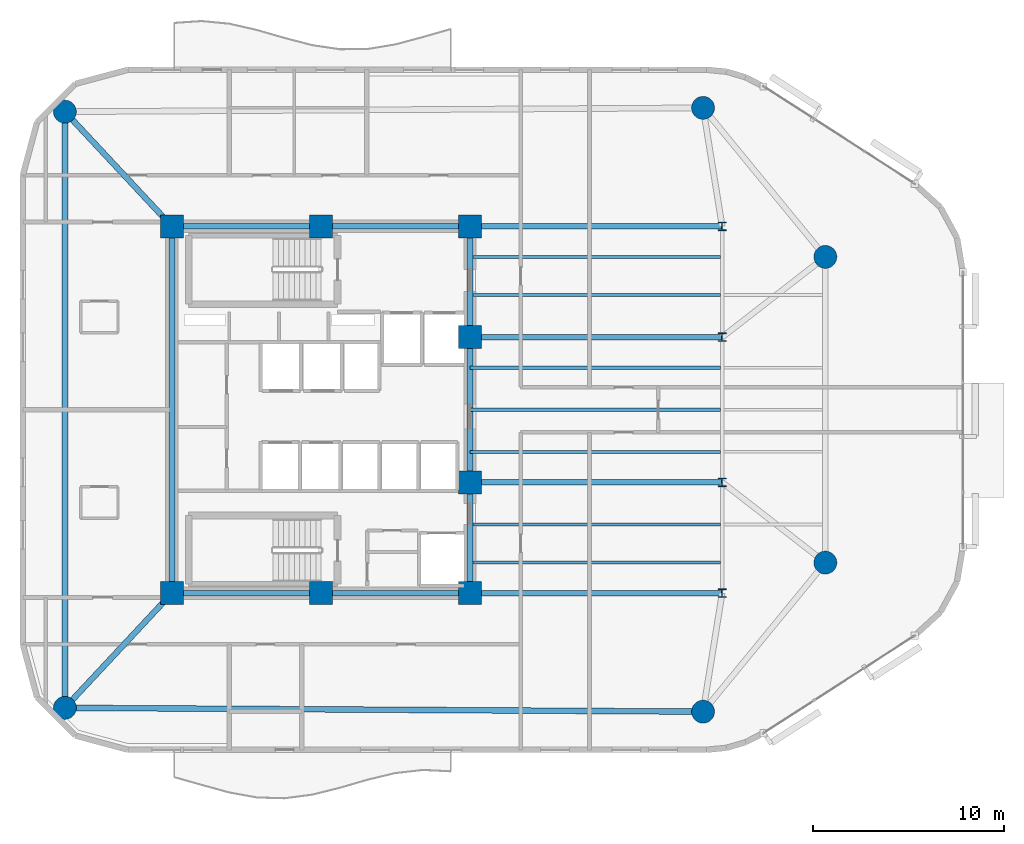
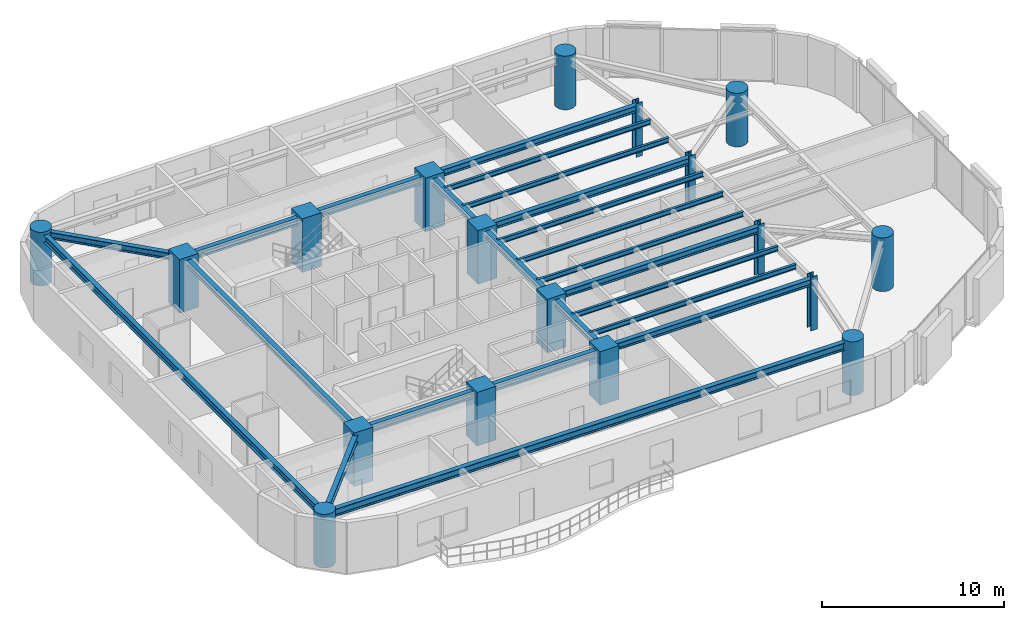
# One storey, part 1 of 15: 21 beams, 18 columns.
"""IFC4 building model written with IfcOpenShell, lengths in metres."""

from ifc_helpers import new_model, si_unit, direction, frame, origin, origin_2d, place, context, subcontext, project, spatial, rectangle, circle, i_section, extrude, material, material_profile, profile_set, type_object, element, save


model = new_model("IFC4")

# Units and contexts
model_context = context("Model", 3, precision=1e-05, world=origin(), true_north=direction((0.0, 1.0)))
body_context = subcontext(model_context, "Body", "Model", "MODEL_VIEW")
ifc_project = project(units=[si_unit("LENGTHUNIT", "METRE"), si_unit("AREAUNIT", "SQUARE_METRE"), si_unit("VOLUMEUNIT", "CUBIC_METRE"), si_unit("PLANEANGLEUNIT", "RADIAN"), si_unit("MASSUNIT", "GRAM", prefix="KILO")], contexts=[model_context])

# Site, building, storey
site_placement = place(None, origin())
site = spatial("IfcSite", under=ifc_project, at=site_placement, CompositionType="ELEMENT")
building_placement = place(site_placement, origin())
building = spatial("IfcBuilding", under=site, at=building_placement, Name="An Khanh Terracotta Commons", CompositionType="ELEMENT")
storey_placement = place(building_placement, frame((0.0, 0.0, 176.199951171875)))
storey = spatial("IfcBuildingStorey", under=building, at=storey_placement, Name="L46", CompositionType="ELEMENT", Elevation=176.199951171875)

# Columns
ifc_material_1 = material(Name="Concrete C60/75", Category="concrete")
ifc_material_profile_1 = material_profile(ifc_material_1, circle(Radius=0.60009765625, at=origin_2d()), Name="CFST1200")
ifc_profile_set_1 = profile_set([ifc_material_profile_1], Name="Concrete C60/75")
column_type_1 = type_object("IfcColumnType", Name="COL-CFST1200", PredefinedType="COLUMN", material=ifc_profile_set_1)
for number, where, z_axis, x_axis, name in (
    (1, (16.0, 8.39990234375, 0.0), (0.0, 0.0, 1.0), (1.0, 0.0, 0.0), "L46 Perimeter CFST Mega-Column MC-01"),
    (2, (49.39990234375, 8.199951171875, 0.0), (0.0, 0.0, 1.0), (1.0, 0.0, 0.0), "L46 Perimeter CFST Mega-Column MC-02"),
    (3, (55.800048828125, 16.0, 0.0), (0.0, 0.0, 1.0), (1.0, 0.0, 0.0), "L46 Perimeter CFST Mega-Column MC-03"),
    (4, (55.800048828125, 32.0, 0.0), (0.0, 0.0, 1.0), (1.0, 0.0, 0.0), "L46 Perimeter CFST Mega-Column MC-04"),
    (5, (49.39990234375, 39.800048828125, 0.0), (0.0, 0.0, 1.0), (1.0, 0.0, 0.0), "L46 Perimeter CFST Mega-Column MC-05"),
    (6, (16.0, 39.60009765625, 0.0), (0.0, 0.0, 1.0), (1.0, 0.0, 0.0), "L46 Perimeter CFST Mega-Column MC-06"),
):
    element("IfcColumn", number, at=place(storey_placement, frame(where, z_axis=z_axis, x_axis=x_axis)), inside=storey, type_object=column_type_1, Name=name, PredefinedType="COLUMN", context=body_context, shape_type="SweptSolid", body=[
        extrude(circle(Radius=0.60009765625, at=origin_2d()), origin(), (0.0, 0.0, 1.0), 3.60009765625),
    ])
ifc_material_2 = material(Name="Steel S460ML", Category="steel")
ifc_material_profile_2 = material_profile(ifc_material_2, i_section(OverallWidth=0.406005859375, OverallDepth=0.43994140625, WebThickness=0.02392578125, FlangeThickness=0.0390625, FilletRadius=0.014892578125, at=origin_2d()), Name="HD400x314")
ifc_profile_set_2 = profile_set([ifc_material_profile_2], Name="Steel S460ML")
column_type_2 = type_object("IfcColumnType", Name="COL-HD400x314", PredefinedType="COLUMN", material=ifc_profile_set_2)
for number, where, z_axis, x_axis, name in (
    (7, (50.39990234375, 14.39990234375, 0.0), (0.0, 0.0, 1.0), (1.0, 0.0, 0.0), "L46 Interior Frame Column TC-01"),
    (8, (50.39990234375, 20.199951171875, 0.0), (0.0, 0.0, 1.0), (1.0, 0.0, 0.0), "L46 Interior Frame Column TC-02"),
    (9, (50.39990234375, 27.800048828125, 0.0), (0.0, 0.0, 1.0), (1.0, 0.0, 0.0), "L46 Interior Frame Column TC-03"),
    (10, (50.39990234375, 33.60009765625, 0.0), (0.0, 0.0, 1.0), (1.0, 0.0, 0.0), "L46 Interior Frame Column TC-04"),
):
    element("IfcColumn", number, at=place(storey_placement, frame(where, z_axis=z_axis, x_axis=x_axis)), inside=storey, type_object=column_type_2, Name=name, PredefinedType="COLUMN", context=body_context, shape_type="SweptSolid", body=[
        extrude(i_section(OverallWidth=0.406005859375, OverallDepth=0.43994140625, WebThickness=0.02392578125, FlangeThickness=0.0390625, FilletRadius=0.014892578125, at=origin_2d()), origin(), (0.0, 0.0, 1.0), 3.60009765625),
    ])
ifc_material_profile_3 = material_profile(ifc_material_1, rectangle(XDim=1.199951171875, YDim=1.199951171875, at=origin_2d()), Name="RC1200x1200")
ifc_profile_set_3 = profile_set([ifc_material_profile_3], Name="Concrete C60/75")
column_type_3 = type_object("IfcColumnType", Name="COL-RC1200x1200", PredefinedType="COLUMN", material=ifc_profile_set_3)
for number, where, z_axis, x_axis, name in (
    (11, (21.60009765625, 14.39990234375, 0.0), (0.0, 0.0, 1.0), (1.0, 0.0, 0.0), "L46 Core Boundary Column CC-01"),
    (12, (29.39990234375, 14.39990234375, 0.0), (0.0, 0.0, 1.0), (1.0, 0.0, 0.0), "L46 Core Boundary Column CC-02"),
    (13, (37.199951171875, 14.39990234375, 0.0), (0.0, 0.0, 1.0), (1.0, 0.0, 0.0), "L46 Core Boundary Column CC-03"),
    (14, (37.199951171875, 20.199951171875, 0.0), (0.0, 0.0, 1.0), (1.0, 0.0, 0.0), "L46 Core Boundary Column CC-04"),
    (15, (37.199951171875, 27.800048828125, 0.0), (0.0, 0.0, 1.0), (1.0, 0.0, 0.0), "L46 Core Boundary Column CC-05"),
    (16, (37.199951171875, 33.60009765625, 0.0), (0.0, 0.0, 1.0), (1.0, 0.0, 0.0), "L46 Core Boundary Column CC-06"),
    (17, (29.39990234375, 33.60009765625, 0.0), (0.0, 0.0, 1.0), (1.0, 0.0, 0.0), "L46 Core Boundary Column CC-07"),
    (18, (21.60009765625, 33.60009765625, 0.0), (0.0, 0.0, 1.0), (1.0, 0.0, 0.0), "L46 Core Boundary Column CC-08"),
):
    element("IfcColumn", number, at=place(storey_placement, frame(where, z_axis=z_axis, x_axis=x_axis)), inside=storey, type_object=column_type_3, Name=name, PredefinedType="COLUMN", context=body_context, shape_type="SweptSolid", body=[
        extrude(rectangle(XDim=1.199951171875, YDim=1.199951171875, at=origin_2d()), origin(), (0.0, 0.0, 1.0), 3.60009765625),
    ])

# Beams
ifc_material_3 = material(Name="Steel S355J2", Category="steel")
ifc_material_profile_4 = material_profile(ifc_material_3, i_section(OverallWidth=0.300048828125, OverallDepth=0.449951171875, WebThickness=0.013916015625, FlangeThickness=0.02587890625, FilletRadius=0.027099609375, at=origin_2d()), Name="HEB450")
ifc_profile_set_4 = profile_set([ifc_material_profile_4], Name="Steel S355J2")
beam_type_1 = type_object("IfcBeamType", Name="BM-HEB450", PredefinedType="BEAM", material=ifc_profile_set_4)
beam_1_placement = place(storey_placement, frame((37.199951171875, 14.39990234375, 3.175048828125), z_axis=(0.0, 1.0, 0.0), x_axis=(-1.0, 0.0, 0.0)))
element("IfcBeam", 19, at=beam_1_placement, inside=storey, type_object=beam_type_1, Name="L46 Core East Coupling Girder 1", PredefinedType="BEAM", context=body_context, shape_type="SweptSolid", body=[
    extrude(i_section(OverallWidth=0.300048828125, OverallDepth=0.449951171875, WebThickness=0.013916015625, FlangeThickness=0.02587890625, FilletRadius=0.027099609375, at=origin_2d()), origin(), (0.0, 0.0, 1.0), 5.800048828125),
])
beam_2_placement = place(storey_placement, frame((37.199951171875, 20.199951171875, 3.175048828125), z_axis=(0.0, 1.0, 0.0), x_axis=(-1.0, 0.0, 0.0)))
element("IfcBeam", 20, at=beam_2_placement, inside=storey, type_object=beam_type_1, Name="L46 Core East Coupling Girder 2", PredefinedType="BEAM", context=body_context, shape_type="SweptSolid", body=[
    extrude(i_section(OverallWidth=0.300048828125, OverallDepth=0.449951171875, WebThickness=0.013916015625, FlangeThickness=0.02587890625, FilletRadius=0.027099609375, at=origin_2d()), origin(), (0.0, 0.0, 1.0), 7.60009765625),
])
beam_3_placement = place(storey_placement, frame((37.199951171875, 27.800048828125, 3.175048828125), z_axis=(0.0, 1.0, 0.0), x_axis=(-1.0, 0.0, 0.0)))
element("IfcBeam", 21, at=beam_3_placement, inside=storey, type_object=beam_type_1, Name="L46 Core East Coupling Girder 3", PredefinedType="BEAM", context=body_context, shape_type="SweptSolid", body=[
    extrude(i_section(OverallWidth=0.300048828125, OverallDepth=0.449951171875, WebThickness=0.013916015625, FlangeThickness=0.02587890625, FilletRadius=0.027099609375, at=origin_2d()), origin(), (0.0, 0.0, 1.0), 5.800048828125),
])
beam_4_placement = place(storey_placement, frame((21.60009765625, 14.39990234375, 3.175048828125), z_axis=(0.0, 1.0, 0.0), x_axis=(-1.0, 0.0, 0.0)))
element("IfcBeam", 22, at=beam_4_placement, inside=storey, type_object=beam_type_1, Name="L46 Core West Coupling Girder", PredefinedType="BEAM", context=body_context, shape_type="SweptSolid", body=[
    extrude(i_section(OverallWidth=0.300048828125, OverallDepth=0.449951171875, WebThickness=0.013916015625, FlangeThickness=0.02587890625, FilletRadius=0.027099609375, at=origin_2d()), origin(), (0.0, 0.0, 1.0), 19.2001953125),
])
for number, where, z_axis, x_axis, name in (
    (23, (37.199951171875, 14.39990234375, 3.175048828125), (1.0, 0.0, 0.0), (0.0, 1.0, 0.0), "L46 East Primary Floor Girder 1"),
    (24, (37.199951171875, 20.199951171875, 3.175048828125), (1.0, 0.0, 0.0), (0.0, 1.0, 0.0), "L46 East Primary Floor Girder 2"),
    (25, (37.199951171875, 27.800048828125, 3.175048828125), (1.0, 0.0, 0.0), (0.0, 1.0, 0.0), "L46 East Primary Floor Girder 3"),
    (26, (37.199951171875, 33.60009765625, 3.175048828125), (1.0, 0.0, 0.0), (0.0, 1.0, 0.0), "L46 East Primary Floor Girder 4"),
):
    element("IfcBeam", number, at=place(storey_placement, frame(where, z_axis=z_axis, x_axis=x_axis)), inside=storey, type_object=beam_type_1, Name=name, PredefinedType="BEAM", context=body_context, shape_type="SweptSolid", body=[
        extrude(i_section(OverallWidth=0.300048828125, OverallDepth=0.449951171875, WebThickness=0.013916015625, FlangeThickness=0.02587890625, FilletRadius=0.027099609375, at=origin_2d()), origin(), (0.0, 0.0, 1.0), 13.199951171875),
    ])
for number, where, z_axis, x_axis, name in (
    (27, (16.0, 8.39990234375, 3.175048828125), (0.682324609438, 0.731049333052, 0.0), (-0.731049333052, 0.682324609438, 0.0), "L46 Mega-Column Tie Girder 1"),
    (28, (16.0, 39.60009765625, 3.175048828125), (0.682324609438, -0.731049333052, 0.0), (0.731049333052, 0.682324609438, 0.0), "L46 Mega-Column Tie Girder 6"),
):
    element("IfcBeam", number, at=place(storey_placement, frame(where, z_axis=z_axis, x_axis=x_axis)), inside=storey, type_object=beam_type_1, Name=name, PredefinedType="BEAM", context=body_context, shape_type="SweptSolid", body=[
        extrude(i_section(OverallWidth=0.300048828125, OverallDepth=0.449951171875, WebThickness=0.013916015625, FlangeThickness=0.02587890625, FilletRadius=0.027099609375, at=origin_2d()), origin(), (0.0, 0.0, 1.0), 8.207275390625),
    ])
ifc_material_profile_5 = material_profile(ifc_material_3, i_section(OverallWidth=0.300048828125, OverallDepth=0.5, WebThickness=0.014404296875, FlangeThickness=0.028076171875, FilletRadius=0.027099609375, at=origin_2d()), Name="HEB500")
ifc_profile_set_5 = profile_set([ifc_material_profile_5], Name="Steel S355J2")
beam_type_2 = type_object("IfcBeamType", Name="BM-HEB500", PredefinedType="BEAM", material=ifc_profile_set_5)
for number, where, z_axis, x_axis, name in (
    (29, (21.60009765625, 14.39990234375, 3.150146484375), (1.0, 0.0, 0.0), (0.0, 1.0, 0.0), "L46 Core South Coupling Girder"),
    (30, (21.60009765625, 33.60009765625, 3.150146484375), (1.0, 0.0, 0.0), (0.0, 1.0, 0.0), "L46 Core North Coupling Girder"),
):
    element("IfcBeam", number, at=place(storey_placement, frame(where, z_axis=z_axis, x_axis=x_axis)), inside=storey, type_object=beam_type_2, Name=name, PredefinedType="BEAM", context=body_context, shape_type="SweptSolid", body=[
        extrude(i_section(OverallWidth=0.300048828125, OverallDepth=0.5, WebThickness=0.014404296875, FlangeThickness=0.028076171875, FilletRadius=0.027099609375, at=origin_2d()), origin(), (0.0, 0.0, 1.0), 15.599853515625),
    ])
beam_5_placement = place(storey_placement, frame((16.0, 8.39990234375, 3.150146484375), z_axis=(0.999982080914, -0.005986472262, 0.0), x_axis=(0.005986472262, 0.999982080914, 0.0)))
element("IfcBeam", 31, at=beam_5_placement, inside=storey, type_object=beam_type_2, Name="L46 Perimeter Ring Spandrel 1", PredefinedType="BEAM", context=body_context, shape_type="SweptSolid", body=[
    extrude(i_section(OverallWidth=0.300048828125, OverallDepth=0.5, WebThickness=0.014404296875, FlangeThickness=0.028076171875, FilletRadius=0.027099609375, at=origin_2d()), origin(), (0.0, 0.0, 1.0), 33.400390625),
])
beam_6_placement = place(storey_placement, frame((16.0, 39.60009765625, 3.150146484375), z_axis=(0.0, -1.0, 0.0), x_axis=(1.0, 0.0, 0.0)))
element("IfcBeam", 32, at=beam_6_placement, inside=storey, type_object=beam_type_2, Name="L46 Perimeter Ring Spandrel 6", PredefinedType="BEAM", context=body_context, shape_type="SweptSolid", body=[
    extrude(i_section(OverallWidth=0.300048828125, OverallDepth=0.5, WebThickness=0.014404296875, FlangeThickness=0.028076171875, FilletRadius=0.027099609375, at=origin_2d()), origin(), (0.0, 0.0, 1.0), 31.2001953125),
])
ifc_material_profile_6 = material_profile(ifc_material_3, i_section(OverallWidth=0.159912109375, OverallDepth=0.330078125, WebThickness=0.007568359375, FlangeThickness=0.011474609375, FilletRadius=0.01806640625, at=origin_2d()), Name="IPE330")
ifc_profile_set_6 = profile_set([ifc_material_profile_6], Name="Steel S355J2")
beam_type_3 = type_object("IfcBeamType", Name="BM-IPE330", PredefinedType="JOIST", material=ifc_profile_set_6)
for number, where, z_axis, x_axis, name in (
    (33, (37.199951171875, 16.0, 3.235107421875), (1.0, 0.0, 0.0), (0.0, 1.0, 0.0), "L46 Inboard Composite Joist 1"),
    (34, (37.199951171875, 18.0, 3.235107421875), (1.0, 0.0, 0.0), (0.0, 1.0, 0.0), "L46 Inboard Composite Joist 2"),
    (35, (37.199951171875, 21.800048828125, 3.235107421875), (1.0, 0.0, 0.0), (0.0, 1.0, 0.0), "L46 Inboard Composite Joist 3"),
    (36, (37.199951171875, 24.0, 3.235107421875), (1.0, 0.0, 0.0), (0.0, 1.0, 0.0), "L46 Inboard Composite Joist 4"),
    (37, (37.199951171875, 26.199951171875, 3.235107421875), (1.0, 0.0, 0.0), (0.0, 1.0, 0.0), "L46 Inboard Composite Joist 5"),
    (38, (37.199951171875, 30.0, 3.235107421875), (1.0, 0.0, 0.0), (0.0, 1.0, 0.0), "L46 Inboard Composite Joist 6"),
    (39, (37.199951171875, 32.0, 3.235107421875), (1.0, 0.0, 0.0), (0.0, 1.0, 0.0), "L46 Inboard Composite Joist 7"),
):
    element("IfcBeam", number, at=place(storey_placement, frame(where, z_axis=z_axis, x_axis=x_axis)), inside=storey, type_object=beam_type_3, Name=name, PredefinedType="JOIST", context=body_context, shape_type="SweptSolid", body=[
        extrude(i_section(OverallWidth=0.159912109375, OverallDepth=0.330078125, WebThickness=0.007568359375, FlangeThickness=0.011474609375, FilletRadius=0.01806640625, at=origin_2d()), origin(), (0.0, 0.0, 1.0), 13.10009765625),
    ])

save(model, "model.ifc")
